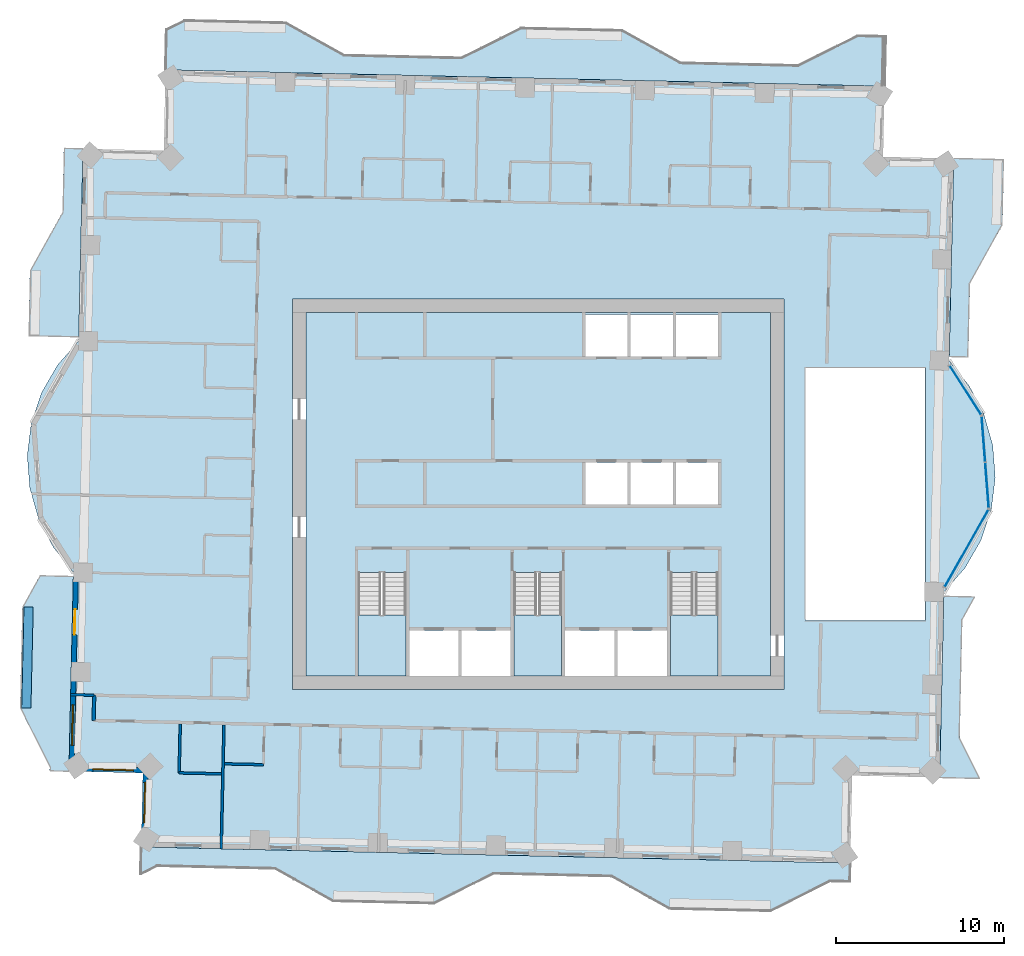
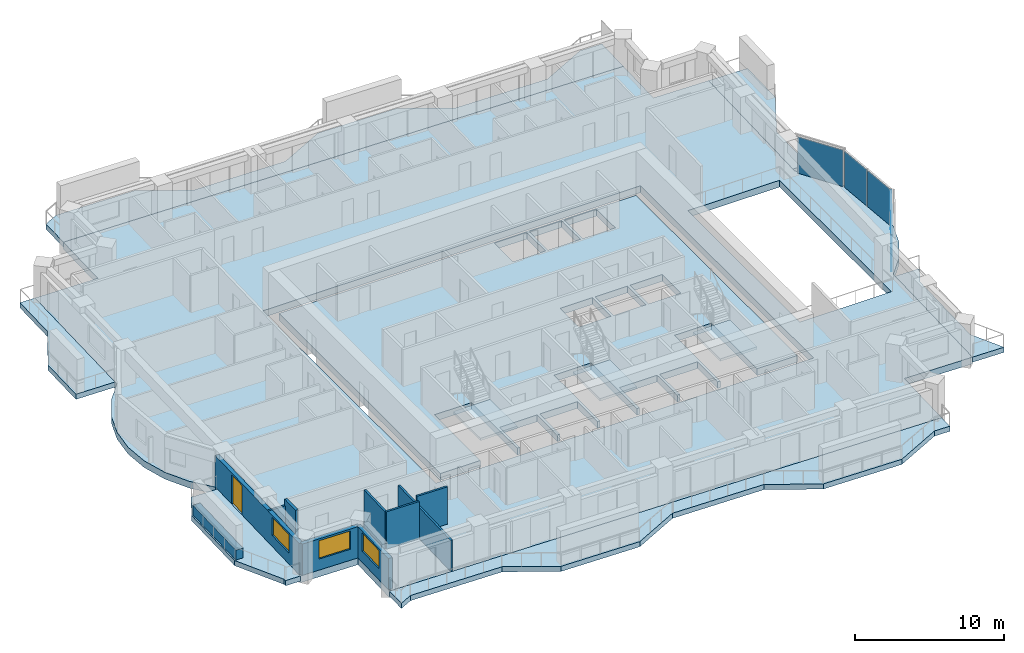
# One storey, part 5 of 16: 11 slabs, 10 walls, 4 plates, 3 windows, 1 door, 4 openings, 6 elements without a shape of their own.
"""IFC4 building model written with IfcOpenShell, lengths in metres."""

from ifc_helpers import new_model, si_unit, direction, frame, frame_2d, origin, origin_2d, place, context, subcontext, project, spatial, polyline, rectangle, outline, extrude, material, layer, layer_set, type_object, element, fill, aggregate, save


model = new_model("IFC4")

# Units and contexts
model_context = context("Model", 3, precision=1e-05, world=origin(), true_north=direction((0.0, 1.0)))
body_context = subcontext(model_context, "Body", "Model", "MODEL_VIEW")
ifc_project = project(units=[si_unit("LENGTHUNIT", "METRE"), si_unit("AREAUNIT", "SQUARE_METRE"), si_unit("VOLUMEUNIT", "CUBIC_METRE"), si_unit("PLANEANGLEUNIT", "RADIAN"), si_unit("MASSUNIT", "GRAM", prefix="KILO")], contexts=[model_context])

# Site, building, storey
site_placement = place(None, origin())
site = spatial("IfcSite", under=ifc_project, at=site_placement, CompositionType="ELEMENT")
building_placement = place(site_placement, origin())
building = spatial("IfcBuilding", under=site, at=building_placement, Name="Mangrove Gate Tower", CompositionType="ELEMENT")
storey_placement = place(building_placement, frame((0.0, 0.0, 197.89990234375)))
storey = spatial("IfcBuildingStorey", under=building, at=storey_placement, Name="L50", CompositionType="ELEMENT", Elevation=197.89990234375)

# Curtain wall, plate
ifc_material_1 = material(Name="Aluminium and glass curtain wall", Category="aluminium")
curtain_wall_type = type_object("IfcCurtainWallType", Name="Atrium garden-court glazing wall", PredefinedType="NOTDEFINED", material=ifc_material_1)
curtain_wall_1_placement = place(storey_placement, origin())
curtain_wall_1 = element("IfcCurtainWall", 1, at=curtain_wall_1_placement, inside=storey, type_object=curtain_wall_type, Name="Atrium garden-court glazing E1f1", PredefinedType="NOTDEFINED")
ifc_material_2 = material(Name="Laminated low-e glass", Category="glass")
ifc_layer_1 = layer(ifc_material_2, 0.031982421875)
ifc_layer_set_1 = layer_set([ifc_layer_1], Name="Atrium garden-court glazing panel 32")
plate_type = type_object("IfcPlateType", Name="Atrium garden-court glazing panel 32", PredefinedType="CURTAIN_PANEL", material=ifc_layer_set_1)
plate_1_placement = place(storey_placement, frame((25.4541015625, -3.217041015625, 0.0), z_axis=(0.0, 0.0, 1.0), x_axis=(0.492599932635, 0.870255885569, 0.0)))
plate_1 = element("IfcPlate", 2, at=plate_1_placement, type_object=plate_type, Name="CWA panel 1.1", PredefinedType="CURTAIN_PANEL", context=body_context, shape_type="SweptSolid", body=[
    extrude(rectangle(XDim=5.258544921875, YDim=0.031982421875, at=origin_2d()), origin(), (0.0, 0.0, 1.0), 2.97998046875),
])
aggregate(curtain_wall_1, [plate_1])

# Curtain wall, plates
curtain_wall_2_placement = place(storey_placement, origin())
curtain_wall_2 = element("IfcCurtainWall", 3, at=curtain_wall_2_placement, inside=storey, type_object=curtain_wall_type, Name="Atrium garden-court glazing E1f2", PredefinedType="NOTDEFINED")
plate_2_placement = place(storey_placement, frame((26.67529296875, 0.538818359375, 0.0), z_axis=(0.0, 0.0, 1.0), x_axis=(-0.077023348229, 0.997029289353, 0.0)))
plate_2 = element("IfcPlate", 4, at=plate_2_placement, type_object=plate_type, Name="CWA panel 1.1", PredefinedType="CURTAIN_PANEL", context=body_context, shape_type="SweptSolid", body=[
    extrude(rectangle(XDim=2.681640625, YDim=0.031982421875, at=origin_2d()), origin(), (0.0, 0.0, 1.0), 2.97998046875),
])
plate_3_placement = place(storey_placement, frame((26.463134765625, 3.2822265625, 0.0), z_axis=(0.0, 0.0, 1.0), x_axis=(-0.077023348229, 0.997029289353, 0.0)))
plate_3 = element("IfcPlate", 5, at=plate_3_placement, type_object=plate_type, Name="CWA panel 2.1", PredefinedType="CURTAIN_PANEL", context=body_context, shape_type="SweptSolid", body=[
    extrude(rectangle(XDim=2.681640625, YDim=0.031982421875, at=origin_2d()), origin(), (0.0, 0.0, 1.0), 2.97998046875),
])
aggregate(curtain_wall_2, [plate_2, plate_3])

# Curtain wall, plate
curtain_wall_3_placement = place(storey_placement, origin())
curtain_wall_3 = element("IfcCurtainWall", 6, at=curtain_wall_3_placement, inside=storey, type_object=curtain_wall_type, Name="Atrium garden-court glazing E1f3", PredefinedType="NOTDEFINED")
plate_4_placement = place(storey_placement, frame((25.389892578125, 6.190185546875, 0.0), z_axis=(0.0, 0.0, 1.0), x_axis=(-0.540523066602, 0.841329195067, 0.0)))
plate_4 = element("IfcPlate", 7, at=plate_4_placement, type_object=plate_type, Name="CWA panel 1.1", PredefinedType="CURTAIN_PANEL", context=body_context, shape_type="SweptSolid", body=[
    extrude(rectangle(XDim=3.428955078125, YDim=0.031982421875, at=origin_2d()), origin(), (0.0, 0.0, 1.0), 2.97998046875),
])
aggregate(curtain_wall_3, [plate_4])

# Slabs
ifc_material_3 = material(Name="Porcelain tile")
ifc_layer_2 = layer(ifc_material_3, 0.02001953125, Name="Tile finish")
ifc_material_4 = material(Name="Cement sand screed")
ifc_layer_3 = layer(ifc_material_4, 0.0400390625, Name="Screed laid to falls")
ifc_material_5 = material(Name="Bituminous waterproofing membrane")
ifc_layer_4 = layer(ifc_material_5, 0.00390625, Name="Waterproofing")
ifc_material_6 = material(Name="Concrete C40/50", Category="concrete")
ifc_layer_5 = layer(ifc_material_6, 0.340087890625, Name="Balcony structural slab")
ifc_material_7 = material(Name="Limestone", Category="masonry")
ifc_layer_6 = layer(ifc_material_7, 0.01611328125, Name="Soffit lining")
ifc_layer_set_2 = layer_set([ifc_layer_2, ifc_layer_3, ifc_layer_4, ifc_layer_5, ifc_layer_6], Name="Balcony slab 420 C40/50")
slab_type_1 = type_object("IfcSlabType", Name="Balcony slab 420 C40/50", PredefinedType="FLOOR", material=ifc_layer_set_2)
slab_1_placement = place(storey_placement, frame((0.0, 0.0, -0.419921875)))
element("IfcSlab", 8, at=slab_1_placement, inside=storey, type_object=slab_type_1, Name="BALCONY L50 E0", PredefinedType="FLOOR", context=body_context, shape_type="SweptSolid", body=[
    extrude(outline(polyline([(26.26708984375, -16.886962890625), (25.052978515625, -14.458984375), (25.2119140625, -7.4609375), (25.969970703125, -6.10302734375), (24.10400390625, -6.06005859375), (24.072021484375, -7.43505859375), (23.9140625, -14.43310546875), (23.85888671875, -16.83203125), (26.26708984375, -16.886962890625)])), origin(), (0.0, 0.0, 1.0), 0.419921875),
])
slab_2_placement = place(storey_placement, frame((0.0, 0.0, -0.419921875)))
element("IfcSlab", 9, at=slab_2_placement, inside=storey, type_object=slab_type_1, Name="BALCONY L50 E1", PredefinedType="FLOOR", context=body_context, shape_type="SweptSolid", body=[
    extrude(outline(polyline([(25.56689453125, 8.160888671875), (25.666015625, 12.533935546875), (27.594970703125, 15.990966796875), (27.68310546875, 19.889892578125), (24.694091796875, 19.9580078125), (24.60595703125, 16.05908203125), (24.52587890625, 12.56005859375), (24.427001953125, 8.18701171875), (25.56689453125, 8.160888671875)])), origin(), (0.0, 0.0, 1.0), 0.419921875),
])
slab_3_placement = place(storey_placement, frame((0.0, 0.0, -0.419921875)))
element("IfcSlab", 10, at=slab_3_placement, inside=storey, type_object=slab_type_1, Name="BALCONY L50 N0", PredefinedType="FLOOR", context=body_context, shape_type="SweptSolid", body=[
    extrude(outline(polyline([(20.657958984375, 27.241943359375), (18.987060546875, 27.280029296875), (15.446044921875, 25.509033203125), (8.447021484375, 25.66796875), (4.989990234375, 27.596923828125), (-1.008056640625, 27.73291015625), (-4.549072265625, 25.964111328125), (-11.547119140625, 26.1220703125), (-15.00390625, 28.051025390625), (-21.0029296875, 28.18701171875), (-22.087890625, 27.64501953125), (-22.14208984375, 25.221923828125), (-4.574951171875, 24.822998046875), (8.422119140625, 24.529052734375), (20.590087890625, 24.251953125), (20.657958984375, 27.241943359375)])), origin(), (0.0, 0.0, 1.0), 0.419921875),
])
slab_4_placement = place(storey_placement, frame((0.0, 0.0, -0.419921875)))
element("IfcSlab", 11, at=slab_4_placement, inside=storey, type_object=slab_type_1, Name="BALCONY L50 W0", PredefinedType="FLOOR", context=body_context, shape_type="SweptSolid", body=[
    extrude(outline(polyline([(-28.18994140625, 20.55810546875), (-28.27587890625, 16.759033203125), (-30.205078125, 13.302001953125), (-30.29296875, 9.427978515625), (-27.303955078125, 9.360107421875), (-27.216064453125, 13.23388671875), (-27.135986328125, 16.73291015625), (-27.050048828125, 20.531982421875), (-28.18994140625, 20.55810546875)])), origin(), (0.0, 0.0, 1.0), 0.419921875),
])
slab_5_placement = place(storey_placement, frame((0.0, 0.0, -0.419921875)))
element("IfcSlab", 12, at=slab_5_placement, inside=storey, type_object=slab_type_1, Name="BALCONY L50 W1", PredefinedType="FLOOR", context=body_context, shape_type="SweptSolid", body=[
    extrude(outline(polyline([(-29.6259765625, -4.841064453125), (-30.658935546875, -6.693115234375), (-30.794921875, -12.69091796875), (-29.02490234375, -16.23193359375), (-29.029052734375, -16.431884765625), (-27.889892578125, -16.4580078125), (-27.885009765625, -16.258056640625), (-27.805908203125, -12.759033203125), (-27.669921875, -6.760986328125), (-27.626953125, -4.886962890625), (-29.6259765625, -4.841064453125)])), origin(), (0.0, 0.0, 1.0), 0.419921875),
])
slab_6_placement = place(storey_placement, frame((0.0, 0.0, -0.419921875)))
element("IfcSlab", 13, at=slab_6_placement, inside=storey, type_object=slab_type_1, Name="BALCONY L50 S0", PredefinedType="FLOOR", context=body_context, shape_type="SweptSolid", body=[
    extrude(outline(polyline([(-23.6279296875, -22.610107421875), (-22.64501953125, -22.118896484375), (-15.64599609375, -22.277099609375), (-12.18896484375, -24.2060546875), (-6.19091796875, -24.343017578125), (-2.64990234375, -22.572021484375), (-2.550048828125, -22.574951171875), (4.347900390625, -22.73095703125), (7.805908203125, -24.659912109375), (13.803955078125, -24.7958984375), (17.344970703125, -23.027099609375), (18.51708984375, -23.052978515625), (18.54296875, -21.9130859375), (-23.591064453125, -20.95703125), (-23.6279296875, -22.610107421875)])), origin(), (0.0, 0.0, 1.0), 0.419921875),
])
ifc_material_8 = material(Name="Concrete C40/50", Category="concrete")
ifc_layer_7 = layer(ifc_material_8, 0.550048828125)
ifc_layer_set_3 = layer_set([ifc_layer_7], Name="Core floor slab 550 C40/50")
slab_type_2 = type_object("IfcSlabType", Name="Core floor slab 550 C40/50", PredefinedType="FLOOR", material=ifc_layer_set_3)
slab_7_placement = place(storey_placement, frame((0.0, 0.0, -0.5498046875)))
element("IfcSlab", 14, at=slab_7_placement, inside=storey, type_object=slab_type_2, Name="SLAB-L50-CORE-1", PredefinedType="FLOOR", context=body_context, shape_type="SweptSolid", body=[
    extrude(outline(polyline([(-13.800048828125, -10.800048828125), (-13.800048828125, 10.800048828125), (13.800048828125, 10.800048828125), (13.800048828125, -10.800048828125), (10.699951171875, -10.800048828125), (10.699951171875, -4.653076171875), (7.85009765625, -4.653076171875), (7.85009765625, -10.800048828125), (7.64990234375, -10.800048828125), (7.64990234375, -8.10009765625), (4.72509765625, -8.10009765625), (4.72509765625, -10.800048828125), (4.52490234375, -10.800048828125), (4.52490234375, -8.10009765625), (1.60009765625, -8.10009765625), (1.60009765625, -10.800048828125), (1.39990234375, -10.800048828125), (1.39990234375, -4.653076171875), (-1.449951171875, -4.653076171875), (-1.449951171875, -10.800048828125), (-1.64990234375, -10.800048828125), (-1.64990234375, -8.10009765625), (-4.550048828125, -8.10009765625), (-4.550048828125, -10.800048828125), (-4.75, -10.800048828125), (-4.75, -8.10009765625), (-7.64990234375, -8.10009765625), (-7.64990234375, -10.800048828125), (-7.85009765625, -10.800048828125), (-7.85009765625, -4.653076171875), (-10.699951171875, -4.653076171875), (-10.699951171875, -10.800048828125), (-13.800048828125, -10.800048828125)]), holes=[polyline([(5.300048828125, -0.60009765625), (5.300048828125, 1.89990234375), (2.800048828125, 1.89990234375), (2.800048828125, -0.60009765625), (5.300048828125, -0.60009765625)]), polyline([(5.300048828125, 10.699951171875), (2.800048828125, 10.699951171875), (2.800048828125, 8.199951171875), (5.300048828125, 8.199951171875), (5.300048828125, 10.699951171875)]), polyline([(8.0, -0.60009765625), (8.0, 1.89990234375), (5.5, 1.89990234375), (5.5, -0.60009765625), (8.0, -0.60009765625)]), polyline([(10.699951171875, -0.60009765625), (10.699951171875, 1.89990234375), (8.199951171875, 1.89990234375), (8.199951171875, -0.60009765625), (10.699951171875, -0.60009765625)]), polyline([(8.0, 8.199951171875), (8.0, 10.699951171875), (5.5, 10.699951171875), (5.5, 8.199951171875), (8.0, 8.199951171875)]), polyline([(10.699951171875, 8.199951171875), (10.699951171875, 10.699951171875), (8.199951171875, 10.699951171875), (8.199951171875, 8.199951171875), (10.699951171875, 8.199951171875)])]), origin(), (0.0, 0.0, 1.0), 0.5498046875),
])

# Stair, slab
ifc_material_9 = material(Name="Concrete C40/50", Category="concrete")
stair_type = type_object("IfcStairType", Name="Core stair 1350", PredefinedType="HALF_TURN_STAIR", material=ifc_material_9)
stair_1_placement = place(storey_placement, origin())
stair_1 = element("IfcStair", 15, at=stair_1_placement, inside=storey, type_object=stair_type, Name="L50 Stair 1", PredefinedType="HALF_TURN_STAIR")
ifc_material_10 = material(Name="Concrete C40/50", Category="concrete")
ifc_layer_8 = layer(ifc_material_10, 0.199951171875)
ifc_layer_set_4 = layer_set([ifc_layer_8], Name="Core stair landing 200")
slab_type_3 = type_object("IfcSlabType", Name="Core stair landing 200", PredefinedType="LANDING", material=ifc_layer_set_4)
slab_8_placement = place(storey_placement, frame((0.0, 0.0, 1.60009765625)))
slab_8 = element("IfcSlab", 16, at=slab_8_placement, type_object=slab_type_3, Name="ST1 landing 1", PredefinedType="LANDING", context=body_context, shape_type="SweptSolid", body=[
    extrude(outline(polyline([(-10.699951171875, -7.169921875), (-10.699951171875, -10.800048828125), (-7.85009765625, -10.800048828125), (-7.85009765625, -7.169921875), (-10.699951171875, -7.169921875)])), origin(), (0.0, 0.0, 1.0), 0.199951171875),
])
aggregate(stair_1, [slab_8])

stair_2_placement = place(storey_placement, origin())
stair_2 = element("IfcStair", 17, at=stair_2_placement, inside=storey, type_object=stair_type, Name="L50 Stair 2", PredefinedType="HALF_TURN_STAIR")
slab_9_placement = place(storey_placement, frame((0.0, 0.0, 1.60009765625)))
slab_9 = element("IfcSlab", 18, at=slab_9_placement, type_object=slab_type_3, Name="ST2 landing 1", PredefinedType="LANDING", context=body_context, shape_type="SweptSolid", body=[
    extrude(outline(polyline([(-1.449951171875, -7.169921875), (-1.449951171875, -10.800048828125), (1.39990234375, -10.800048828125), (1.39990234375, -7.169921875), (-1.449951171875, -7.169921875)])), origin(), (0.0, 0.0, 1.0), 0.199951171875),
])
aggregate(stair_2, [slab_9])

stair_3_placement = place(storey_placement, origin())
stair_3 = element("IfcStair", 19, at=stair_3_placement, inside=storey, type_object=stair_type, Name="L50 Stair 3", PredefinedType="HALF_TURN_STAIR")
slab_10_placement = place(storey_placement, frame((0.0, 0.0, 1.60009765625)))
slab_10 = element("IfcSlab", 20, at=slab_10_placement, type_object=slab_type_3, Name="ST3 landing 1", PredefinedType="LANDING", context=body_context, shape_type="SweptSolid", body=[
    extrude(outline(polyline([(7.85009765625, -7.169921875), (7.85009765625, -10.800048828125), (10.699951171875, -10.800048828125), (10.699951171875, -7.169921875), (7.85009765625, -7.169921875)])), origin(), (0.0, 0.0, 1.0), 0.199951171875),
])
aggregate(stair_3, [slab_10])

# Slab
ifc_material_11 = material(Name="Concrete C40/50", Category="concrete")
ifc_layer_9 = layer(ifc_material_11, 0.550048828125)
ifc_layer_set_5 = layer_set([ifc_layer_9], Name="Floor slab 550 C40/50")
slab_type_4 = type_object("IfcSlabType", Name="Floor slab 550 C40/50", PredefinedType="FLOOR", material=ifc_layer_set_5)
slab_11_placement = place(storey_placement, frame((0.0, 0.0, -0.5498046875)))
element("IfcSlab", 21, at=slab_11_placement, inside=storey, type_object=slab_type_4, Name="Floor slab L50", PredefinedType="FLOOR", context=body_context, shape_type="SweptSolid", body=[
    extrude(outline(polyline([(-23.590576171875, -20.95703125), (18.54248046875, -21.9130859375), (18.66064453125, -16.71435546875), (23.859130859375, -16.832275390625), (24.109375, -5.810546875), (25.372314453125, -4.3740234375), (26.325439453125, -2.715576171875), (26.930908203125, -0.901123046875), (27.16455078125, 0.997314453125), (27.017333984375, 2.904296875), (26.494873046875, 4.744384765625), (25.617919921875, 6.4443359375), (24.42138671875, 7.9365234375), (24.694091796875, 19.958251953125), (20.4951171875, 20.053466796875), (20.590576171875, 24.25244140625), (-22.142578125, 25.22216796875), (-22.25146484375, 20.42333984375), (-27.050048828125, 20.5322265625), (-27.309326171875, 9.110595703125), (-28.572265625, 7.674072265625), (-29.525390625, 6.015625), (-30.130859375, 4.201171875), (-30.364501953125, 2.302734375), (-30.21728515625, 0.395751953125), (-29.69482421875, -1.4443359375), (-28.81787109375, -3.144287109375), (-27.621337890625, -4.636474609375), (-27.8896484375, -16.458251953125), (-23.49072265625, -16.55810546875), (-23.590576171875, -20.95703125)]), holes=[polyline([(15.89990234375, 7.5), (22.9951171875, 7.5), (22.9951171875, -7.5), (15.89990234375, -7.5), (15.89990234375, 7.5)]), polyline([(-14.60009765625, -11.60009765625), (-14.60009765625, 11.60009765625), (14.60009765625, 11.60009765625), (14.60009765625, -11.60009765625), (-14.60009765625, -11.60009765625)])]), origin(), (0.0, 0.0, 1.0), 0.5498046875),
])

# Wall
ifc_material_12 = material(Name="Gypsum board on steel stud, EI 60", Category="steel")
ifc_layer_10 = layer(ifc_material_12, 0.199951171875)
ifc_layer_set_6 = layer_set([ifc_layer_10], Name="Corridor wall EI 60")
wall_type_1 = type_object("IfcWallType", Name="Corridor wall EI 60", PredefinedType="PARTITIONING", material=ifc_layer_set_6)
wall_1_placement = place(storey_placement, frame((-26.4189453125, -13.44091796875, 0.0), z_axis=(0.0, 0.0, 1.0), x_axis=(0.022617910375, 0.999744182344, 0.0)))
element("IfcWall", 22, at=wall_1_placement, inside=storey, type_object=wall_type_1, Name="WALL-L50-025", PredefinedType="PARTITIONING", context=body_context, shape_type="SweptSolid", body=[
    extrude(rectangle(XDim=1.50048828125, YDim=0.199951171875, at=frame_2d((0.750244140625, 0.0))), origin(), (0.0, 0.0, 1.0), 3.050048828125),
])

# Wall, openings, door, window
ifc_layer_11 = layer(ifc_material_7, 0.0400390625, Name="Limestone cladding")
ifc_material_13 = material(Name="Ventilated air gap")
ifc_layer_12 = layer(ifc_material_13, 0.0400390625, Name="Ventilated cavity")
ifc_material_14 = material(Name="Mineral wool insulation")
ifc_layer_13 = layer(ifc_material_14, 0.06005859375, Name="Insulation")
ifc_material_15 = material(Name="Breather membrane")
ifc_layer_14 = layer(ifc_material_15, 0.001953125, Name="Breather membrane")
ifc_material_16 = material(Name="Concrete C20/25 blockwork", Category="masonry")
ifc_layer_15 = layer(ifc_material_16, 0.14990234375, Name="Blockwork backing wall")
ifc_material_17 = material(Name="Gypsum plaster")
ifc_layer_16 = layer(ifc_material_17, 0.008056640625, Name="Internal plaster")
ifc_layer_set_7 = layer_set([ifc_layer_11, ifc_layer_12, ifc_layer_13, ifc_layer_14, ifc_layer_15, ifc_layer_16], Name="External wall 300 limestone cladding")
wall_type_2 = type_object("IfcWallType", Name="External wall 300 limestone cladding", PredefinedType="SOLIDWALL", material=ifc_layer_set_7)
wall_2_placement = place(storey_placement, frame((-27.469970703125, -4.5849609375, 0.0), z_axis=(0.0, 0.0, 1.0), x_axis=(-0.022686419344, -0.999742630069, 0.0)))
wall_2 = element("IfcWall", 23, at=wall_2_placement, inside=storey, type_object=wall_type_2, Name="WALL-L50-W10", PredefinedType="SOLIDWALL", context=body_context, shape_type="SweptSolid", body=[
    extrude(rectangle(XDim=11.72998046875, YDim=0.300048828125, at=frame_2d((5.864990234375, 0.0))), origin(), (0.0, 0.0, 1.0), 2.550048828125),
])
opening_1_placement = place(wall_2_placement, frame((2.260986328125, 0.0, 0.0)))
opening_1 = element("IfcOpeningElement", 24, at=opening_1_placement, cuts=wall_2, Name="Opening BD1", PredefinedType="OPENING", context=body_context, shape_type="SweptSolid", body=[
    extrude(rectangle(XDim=1.5, YDim=2.39990234375, at=frame_2d((0.75, 1.199951171875))), frame((0.0, 0.159912109375, 0.0), z_axis=(0.0, -1.0, 0.0), x_axis=(1.0, 0.0, 0.0)), (0.0, 0.0, 1.0), 0.320068359375),
])
opening_2_placement = place(wall_2_placement, frame((7.929931640625, 0.0, 0.89990234375)))
opening_2 = element("IfcOpeningElement", 25, at=opening_2_placement, cuts=wall_2, Name="Opening W2", PredefinedType="OPENING", context=body_context, shape_type="SweptSolid", body=[
    extrude(rectangle(XDim=2.39990234375, YDim=1.5, at=frame_2d((1.199951171875, 0.75))), frame((0.0, 0.159912109375, 0.0), z_axis=(0.0, -1.0, 0.0), x_axis=(1.0, 0.0, 0.0)), (0.0, 0.0, 1.0), 0.320068359375),
])
ifc_material_18 = material(Name="Aluminium frame with laminated clear glass", Category="aluminium")
door_type = type_object("IfcDoorType", Name="Balcony sliding door 1500x2400", OperationType="SLIDING_TO_LEFT", PredefinedType="DOOR", material=ifc_material_18)
door_placement = place(opening_1_placement, origin())
door = element("IfcDoor", 26, at=door_placement, inside=storey, type_object=door_type, Name="DOOR-L50-W10-1", OperationType="SLIDING_TO_LEFT", OverallHeight=2.39990234375, OverallWidth=1.5, PredefinedType="DOOR", context=body_context, shape_type="SweptSolid", body=[
    extrude(rectangle(XDim=1.5, YDim=2.39990234375, at=frame_2d((0.75, 1.199951171875))), frame((0.0, 0.02490234375, 0.0), z_axis=(0.0, -1.0, 0.0), x_axis=(1.0, 0.0, 0.0)), (0.0, 0.0, 1.0), 0.050048828125),
])
fill(opening_1, door)
ifc_material_19 = material(Name="Aluminium frame with double-glazed low-e glass", Category="aluminium")
window_type = type_object("IfcWindowType", Name="Corner room window 2400x1500", PartitioningType="DOUBLE_PANEL_VERTICAL", PredefinedType="WINDOW", material=ifc_material_19)
window_1_placement = place(opening_2_placement, origin())
window_1 = element("IfcWindow", 27, at=window_1_placement, inside=storey, type_object=window_type, Name="WIN-L50-W10-2", OverallHeight=1.5, OverallWidth=2.39990234375, PartitioningType="DOUBLE_PANEL_VERTICAL", PredefinedType="WINDOW", context=body_context, shape_type="SweptSolid", body=[
    extrude(rectangle(XDim=2.39990234375, YDim=1.5, at=frame_2d((1.199951171875, 0.75))), frame((0.0, 0.030029296875, 0.0), z_axis=(0.0, -1.0, 0.0), x_axis=(1.0, 0.0, 0.0)), (0.0, 0.0, 1.0), 0.06005859375),
])
fill(opening_2, window_1)

# Wall, opening, window
wall_3_placement = place(storey_placement, frame((-27.736083984375, -16.31201171875, 0.0), z_axis=(0.0, 0.0, 1.0), x_axis=(0.999747504193, -0.022470599878, 0.0)))
wall_3 = element("IfcWall", 28, at=wall_3_placement, inside=storey, type_object=wall_type_2, Name="WALL-L50-S11", PredefinedType="SOLIDWALL", context=body_context, shape_type="SweptSolid", body=[
    extrude(rectangle(XDim=4.400390625, YDim=0.300048828125, at=frame_2d((2.2001953125, 0.0))), origin(), (0.0, 0.0, 1.0), 2.550048828125),
])
opening_3_placement = place(wall_3_placement, frame((1.279052734375, 0.0, 0.89990234375)))
opening_3 = element("IfcOpeningElement", 29, at=opening_3_placement, cuts=wall_3, Name="Opening W2", PredefinedType="OPENING", context=body_context, shape_type="SweptSolid", body=[
    extrude(rectangle(XDim=2.39990234375, YDim=1.5, at=frame_2d((1.199951171875, 0.75))), frame((0.0, 0.159912109375, 0.0), z_axis=(0.0, -1.0, 0.0), x_axis=(1.0, 0.0, 0.0)), (0.0, 0.0, 1.0), 0.320068359375),
])
window_2_placement = place(opening_3_placement, origin())
window_2 = element("IfcWindow", 30, at=window_2_placement, inside=storey, type_object=window_type, Name="WIN-L50-S11-1", OverallHeight=1.5, OverallWidth=2.39990234375, PartitioningType="DOUBLE_PANEL_VERTICAL", PredefinedType="WINDOW", context=body_context, shape_type="SweptSolid", body=[
    extrude(rectangle(XDim=2.39990234375, YDim=1.5, at=frame_2d((1.199951171875, 0.75))), frame((0.0, 0.030029296875, 0.0), z_axis=(0.0, -1.0, 0.0), x_axis=(1.0, 0.0, 0.0)), (0.0, 0.0, 1.0), 0.06005859375),
])
fill(opening_3, window_2)

wall_4_placement = place(storey_placement, frame((-23.3369140625, -16.410888671875, 0.0), z_axis=(0.0, 0.0, 1.0), x_axis=(-0.022747872013, -0.999741233679, 0.0)))
wall_4 = element("IfcWall", 31, at=wall_4_placement, inside=storey, type_object=wall_type_2, Name="WALL-L50-W12", PredefinedType="SOLIDWALL", context=body_context, shape_type="SweptSolid", body=[
    extrude(rectangle(XDim=4.400390625, YDim=0.300048828125, at=frame_2d((2.2001953125, 0.0))), origin(), (0.0, 0.0, 1.0), 2.550048828125),
])
opening_4_placement = place(wall_4_placement, frame((0.712890625, 0.0, 0.89990234375)))
opening_4 = element("IfcOpeningElement", 32, at=opening_4_placement, cuts=wall_4, Name="Opening W2", PredefinedType="OPENING", context=body_context, shape_type="SweptSolid", body=[
    extrude(rectangle(XDim=2.39990234375, YDim=1.5, at=frame_2d((1.199951171875, 0.75))), frame((0.0, 0.159912109375, 0.0), z_axis=(0.0, -1.0, 0.0), x_axis=(1.0, 0.0, 0.0)), (0.0, 0.0, 1.0), 0.320068359375),
])
window_3_placement = place(opening_4_placement, origin())
window_3 = element("IfcWindow", 33, at=window_3_placement, inside=storey, type_object=window_type, Name="WIN-L50-W12-1", OverallHeight=1.5, OverallWidth=2.39990234375, PartitioningType="DOUBLE_PANEL_VERTICAL", PredefinedType="WINDOW", context=body_context, shape_type="SweptSolid", body=[
    extrude(rectangle(XDim=2.39990234375, YDim=1.5, at=frame_2d((1.199951171875, 0.75))), frame((0.0, 0.030029296875, 0.0), z_axis=(0.0, -1.0, 0.0), x_axis=(1.0, 0.0, 0.0)), (0.0, 0.0, 1.0), 0.06005859375),
])
fill(opening_4, window_3)

# Walls
ifc_material_20 = material(Name="Gypsum board on steel stud, EI 60", Category="steel")
ifc_layer_17 = layer(ifc_material_20, 0.14990234375)
ifc_layer_set_8 = layer_set([ifc_layer_17], Name="Party wall 150 EI 60")
wall_type_3 = type_object("IfcWallType", Name="Party wall 150 EI 60", PredefinedType="PARTITIONING", material=ifc_layer_set_8)
wall_5_placement = place(storey_placement, frame((-18.840087890625, -21.06494140625, 0.0), z_axis=(0.0, 0.0, 1.0), x_axis=(0.022720650804, 0.999741852694, 0.0)))
element("IfcWall", 34, at=wall_5_placement, inside=storey, type_object=wall_type_3, Name="WALL-L50-001", PredefinedType="PARTITIONING", context=body_context, shape_type="SweptSolid", body=[
    extrude(rectangle(XDim=7.349853515625, YDim=0.14990234375, at=frame_2d((3.6748046875, 0.0))), origin(), (0.0, 0.0, 1.0), 2.550048828125),
])
wall_6_placement = place(storey_placement, frame((-21.340087890625, -16.556884765625, 0.0), z_axis=(0.0, 0.0, 1.0), x_axis=(0.999743977673, -0.022626955293, 0.0)))
element("IfcWall", 35, at=wall_6_placement, inside=storey, type_object=wall_type_3, Name="WALL-L50-009", PredefinedType="PARTITIONING", context=body_context, shape_type="SweptSolid", body=[
    extrude(rectangle(XDim=2.52490234375, YDim=0.14990234375, at=frame_2d((1.262451171875, 0.0))), origin(), (0.0, 0.0, 1.0), 3.050048828125),
])
wall_7_placement = place(storey_placement, frame((-21.337890625, -16.556884765625, 0.0), z_axis=(0.0, 0.0, 1.0), x_axis=(0.022732880677, 0.999741574676, 0.0)))
element("IfcWall", 36, at=wall_7_placement, inside=storey, type_object=wall_type_3, Name="WALL-L50-010", PredefinedType="PARTITIONING", context=body_context, shape_type="SweptSolid", body=[
    extrude(rectangle(XDim=2.899658203125, YDim=0.14990234375, at=frame_2d((1.44970703125, 0.0))), origin(), (0.0, 0.0, 1.0), 3.050048828125),
])
wall_8_placement = place(storey_placement, frame((-18.652099609375, -16.01806640625, 0.0), z_axis=(0.0, 0.0, 1.0), x_axis=(0.999749797124, -0.022368351553, 0.0)))
element("IfcWall", 37, at=wall_8_placement, inside=storey, type_object=wall_type_3, Name="WALL-L50-013", PredefinedType="PARTITIONING", context=body_context, shape_type="SweptSolid", body=[
    extrude(rectangle(XDim=2.32470703125, YDim=0.14990234375, at=frame_2d((1.162353515625, 0.0))), origin(), (0.0, 0.0, 1.0), 3.050048828125),
])
wall_9_placement = place(storey_placement, frame((-27.785888671875, -11.908935546875, 0.0), z_axis=(0.0, 0.0, 1.0), x_axis=(0.999740216184, -0.022792545827, 0.0)))
element("IfcWall", 38, at=wall_9_placement, inside=storey, type_object=wall_type_3, Name="WALL-L50-027", PredefinedType="PARTITIONING", context=body_context, shape_type="SweptSolid", body=[
    extrude(rectangle(XDim=1.403076171875, YDim=0.14990234375, at=frame_2d((0.70166015625, 0.0))), origin(), (0.0, 0.0, 1.0), 2.550048828125),
])
ifc_material_21 = material(Name="Concrete C32/40", Category="concrete")
ifc_layer_18 = layer(ifc_material_21, 0.199951171875, Name="Planter trough wall")
ifc_layer_19 = layer(ifc_material_5, 0.0048828125, Name="Waterproofing")
ifc_material_22 = material(Name="Drainage board and gravel")
ifc_layer_20 = layer(ifc_material_22, 0.044921875, Name="Drainage layer")
ifc_material_23 = material(Name="Planting soil")
ifc_layer_21 = layer(ifc_material_23, 0.300048828125, Name="Growing medium")
ifc_layer_set_9 = layer_set([ifc_layer_18, ifc_layer_19, ifc_layer_20, ifc_layer_21], Name="Planter wall 550 C32/40")
wall_type_4 = type_object("IfcWallType", Name="Planter wall 550 C32/40", PredefinedType="USERDEFINED", material=ifc_layer_set_9)
wall_10_placement = place(storey_placement, frame((-30.419921875, -12.699951171875, 0.0), z_axis=(0.0, 0.0, 1.0), x_axis=(0.022662255828, 0.999743178102, 0.0)))
element("IfcWall", 39, at=wall_10_placement, inside=storey, type_object=wall_type_4, Name="PLANTER L50 W1.1", ObjectType="PLANTER", PredefinedType="USERDEFINED", context=body_context, shape_type="SweptSolid", body=[
    extrude(rectangle(XDim=6.00048828125, YDim=0.550048828125, at=frame_2d((3.000244140625, 0.0))), origin(), (0.0, 0.0, 1.0), 0.800048828125),
])

save(model, "model.ifc")
